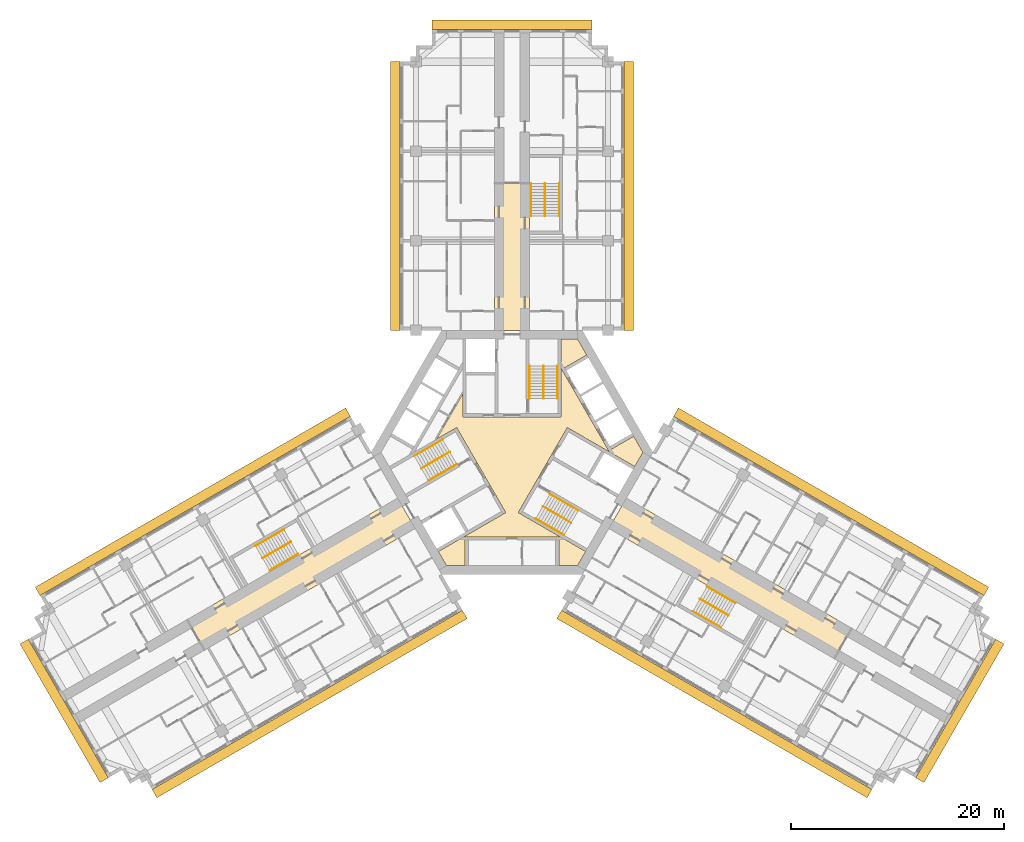
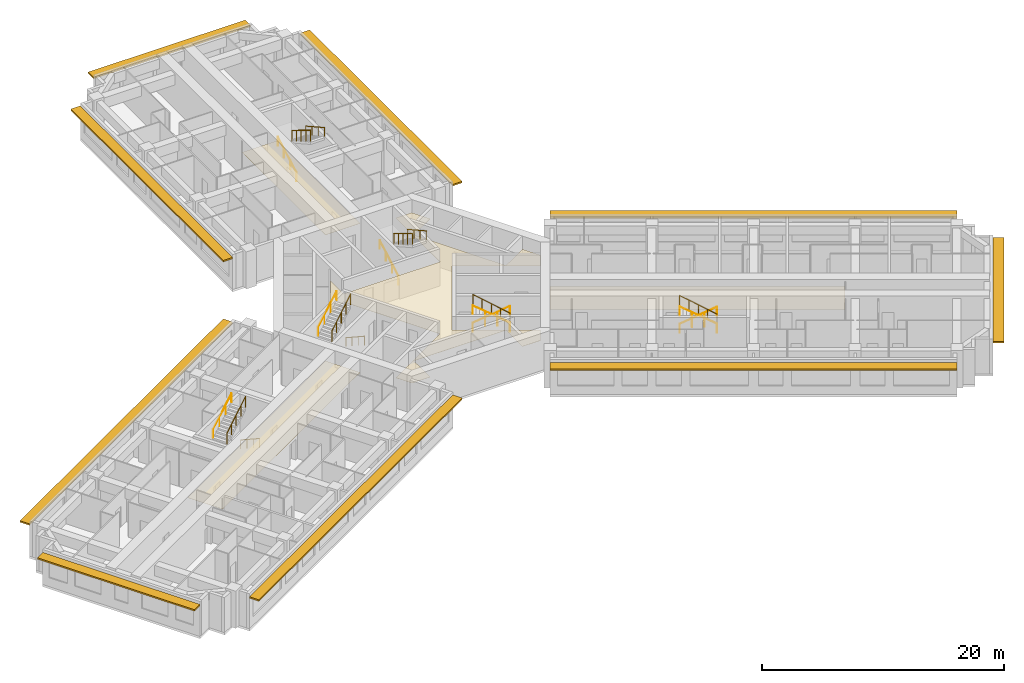
# One storey, part 14 of 14: 18 railings, 4 coverings, 3 shading devices.
"""IFC4 building model written with IfcOpenShell, lengths in metres."""

from ifc_helpers import new_model, si_unit, direction, frame, origin, origin_2d, place, context, subcontext, project, spatial, polyline, rectangle, circle, outline, extrude, material, layer, layer_set, type_object, element, save


model = new_model("IFC4")

# Units and contexts
model_context = context("Model", 3, precision=1e-05, world=origin(), true_north=direction((0.0, 1.0)))
body_context = subcontext(model_context, "Body", "Model", "MODEL_VIEW")
ifc_project = project(units=[si_unit("LENGTHUNIT", "METRE"), si_unit("AREAUNIT", "SQUARE_METRE"), si_unit("VOLUMEUNIT", "CUBIC_METRE"), si_unit("PLANEANGLEUNIT", "RADIAN"), si_unit("MASSUNIT", "GRAM", prefix="KILO")], contexts=[model_context])

# Site, building, storey
site_placement = place(None, origin())
site = spatial("IfcSite", under=ifc_project, at=site_placement, CompositionType="ELEMENT")
building_placement = place(site_placement, origin())
building = spatial("IfcBuilding", under=site, at=building_placement, Name="Impinga Residences", CompositionType="ELEMENT")
storey_placement = place(building_placement, frame((0.0, 0.0, 121.0)))
storey = spatial("IfcBuildingStorey", under=building, at=storey_placement, Name="L29", CompositionType="ELEMENT", Elevation=121.0)

# Coverings
ifc_material_1 = material(Name="Plasterboard 15 mm on steel hangers", Category="steel")
ifc_layer_1 = layer(ifc_material_1, 0.014892578125)
ifc_layer_set_1 = layer_set([ifc_layer_1], Name="Plasterboard 15 mm on steel hangers")
covering_type_1 = type_object("IfcCoveringType", Name="CL1 corridor ceiling, 15 mm plasterboard on hangers", PredefinedType="CEILING", material=ifc_layer_set_1)
covering_1_placement = place(storey_placement, frame((0.0, 0.0, 2.39990234375)))
element("IfcCovering", 1, at=covering_1_placement, inside=storey, type_object=covering_type_1, Name="Corridor ceiling CL1 L29-N00", PredefinedType="CEILING", context=body_context, shape_type="SweptSolid", body=[
    extrude(outline(polyline([(-1.64990234375, 11.431640625), (1.64990234375, 11.431640625), (1.64990234375, 25.181640625), (-1.64990234375, 25.181640625), (-1.64990234375, 11.431640625)])), origin(), (0.0, 0.0, 1.0), 0.01513671875),
])
covering_2_placement = place(storey_placement, frame((0.0, 0.0, 2.39990234375)))
element("IfcCovering", 2, at=covering_2_placement, inside=storey, type_object=covering_type_1, Name="Corridor ceiling CL1 L29-W00", PredefinedType="CEILING", context=body_context, shape_type="SweptSolid", body=[
    extrude(outline(polyline([(-9.074951171875, -7.144775390625), (-10.72509765625, -4.286865234375), (-30.427001953125, -15.661865234375), (-28.777099609375, -18.519775390625), (-9.074951171875, -7.144775390625)])), origin(), (0.0, 0.0, 1.0), 0.01513671875),
])
covering_3_placement = place(storey_placement, frame((0.0, 0.0, 2.39990234375)))
element("IfcCovering", 3, at=covering_3_placement, inside=storey, type_object=covering_type_1, Name="Corridor ceiling CL1 L29-E00", PredefinedType="CEILING", context=body_context, shape_type="SweptSolid", body=[
    extrude(outline(polyline([(10.72509765625, -4.286865234375), (9.074951171875, -7.144775390625), (30.16259765625, -19.31982421875), (31.812744140625, -16.4619140625), (10.72509765625, -4.286865234375)])), origin(), (0.0, 0.0, 1.0), 0.01513671875),
])
ifc_material_2 = material(Name="Mineral fibre tiles 20 mm on exposed grid", Category="mineral fibre")
ifc_layer_2 = layer(ifc_material_2, 0.02001953125)
ifc_layer_set_2 = layer_set([ifc_layer_2], Name="CL2 lift lobby ceiling, 20 mm mineral fibre tiles")
covering_type_2 = type_object("IfcCoveringType", Name="CL2 lift lobby ceiling, 20 mm mineral fibre tiles", PredefinedType="CEILING", material=ifc_layer_set_2)
covering_4_placement = place(storey_placement, frame((0.0, 0.0, 2.39990234375)))
element("IfcCovering", 4, at=covering_4_placement, inside=storey, type_object=covering_type_2, Name="Lift lobby ceiling CL2 L29-C01", PredefinedType="CEILING", context=body_context, shape_type="SweptSolid", body=[
    extrude(outline(polyline([(5.183837890625, 2.318603515625), (0.583984375, -5.648681640625), (6.9072265625, -9.299560546875), (6.13818359375, -10.631591796875), (4.39990234375, -10.631591796875), (4.39990234375, -7.931640625), (-4.39990234375, -7.931640625), (-4.39990234375, -10.631591796875), (-6.13818359375, -10.631591796875), (-6.9072265625, -9.299560546875), (-0.583984375, -5.648681640625), (-5.183837890625, 2.318603515625), (-7.059326171875, 1.23583984375), (-4.60009765625, 5.49560546875), (-4.60009765625, 3.330078125), (4.60009765625, 3.330078125), (4.60009765625, 10.631591796875), (6.13818359375, 10.631591796875), (7.007080078125, 9.126220703125), (4.6689453125, 7.7763671875), (9.06884765625, 0.1552734375), (11.4072265625, 1.50537109375), (12.276123046875, 0.0), (11.507080078125, -1.33203125), (5.183837890625, 2.318603515625)])), origin(), (0.0, 0.0, 1.0), 0.02001953125),
])

# Railings
ifc_material_3 = material(Name="Steel guard, powder coated", Category="steel")
railing_type_1 = type_object("IfcRailingType", Name="GR1 stair guard 1100", PredefinedType="GUARDRAIL", material=ifc_material_3)
railing_1_placement = place(storey_placement, frame((2.949951171875, 8.110107421875, 1.875)))
element("IfcRailing", 5, at=railing_1_placement, inside=storey, type_object=railing_type_1, Name="Stair guard GR1 ST1 L29", PredefinedType="GUARDRAIL", context=body_context, shape_type="SweptSolid", body=[
    extrude(circle(Radius=0.02392578125, at=origin_2d()), frame((0.0, 0.0, 1.076171875), z_axis=(0.0, -0.854177636135, 0.519981313056), x_axis=(1.0, 0.0, 0.0)), (0.0, 0.0, 1.0), 3.60595703125),
    extrude(circle(Radius=0.02099609375, at=origin_2d()), origin(), (0.0, 0.0, 1.0), 1.052001953125),
    extrude(circle(Radius=0.02099609375, at=origin_2d()), frame((0.0, -0.77001953125, 0.46875)), (0.0, 0.0, 1.0), 1.052001953125),
    extrude(circle(Radius=0.02099609375, at=origin_2d()), frame((0.0, -1.5400390625, 0.9375)), (0.0, 0.0, 1.0), 1.052001953125),
    extrude(circle(Radius=0.02099609375, at=origin_2d()), frame((0.0, -2.31005859375, 1.40625)), (0.0, 0.0, 1.0), 1.052001953125),
    extrude(circle(Radius=0.02099609375, at=origin_2d()), frame((0.0, -3.080078125, 1.875)), (0.0, 0.0, 1.0), 1.052001953125),
])
railing_2_placement = place(storey_placement, frame((-8.49853515625, -1.500244140625, 1.875)))
element("IfcRailing", 6, at=railing_2_placement, inside=storey, type_object=railing_type_1, Name="Stair guard GR1 ST2 L29", PredefinedType="GUARDRAIL", context=body_context, shape_type="SweptSolid", body=[
    extrude(circle(Radius=0.02392578125, at=origin_2d()), frame((0.0, 0.0, 1.076171875), z_axis=(0.739746383972, 0.427084037168, 0.519975492303), x_axis=(-0.499992328818, 0.866029832698, 0.0)), (0.0, 0.0, 1.0), 3.60595703125),
    extrude(circle(Radius=0.02099609375, at=origin_2d()), origin(), (0.0, 0.0, 1.0), 1.052001953125),
    extrude(circle(Radius=0.02099609375, at=origin_2d()), frame((0.6669921875, 0.385009765625, 0.46875)), (0.0, 0.0, 1.0), 1.052001953125),
    extrude(circle(Radius=0.02099609375, at=origin_2d()), frame((1.333740234375, 0.77001953125, 0.9375)), (0.0, 0.0, 1.0), 1.052001953125),
    extrude(circle(Radius=0.02099609375, at=origin_2d()), frame((2.00048828125, 1.155029296875, 1.40625)), (0.0, 0.0, 1.0), 1.052001953125),
    extrude(circle(Radius=0.02099609375, at=origin_2d()), frame((2.66748046875, 1.5400390625, 1.875)), (0.0, 0.0, 1.0), 1.052001953125),
])
railing_3_placement = place(storey_placement, frame((5.548583984375, -6.60986328125, 1.875)))
element("IfcRailing", 7, at=railing_3_placement, inside=storey, type_object=railing_type_1, Name="Stair guard GR1 ST3 L29", PredefinedType="GUARDRAIL", context=body_context, shape_type="SweptSolid", body=[
    extrude(circle(Radius=0.02392578125, at=origin_2d()), frame((0.0, 0.0, 1.076171875), z_axis=(-0.739746383972, 0.427084037168, 0.519975492303), x_axis=(-0.499992328818, -0.866029832698, 0.0)), (0.0, 0.0, 1.0), 3.60595703125),
    extrude(circle(Radius=0.02099609375, at=origin_2d()), origin(), (0.0, 0.0, 1.0), 1.052001953125),
    extrude(circle(Radius=0.02099609375, at=origin_2d()), frame((-0.6669921875, 0.385009765625, 0.46875)), (0.0, 0.0, 1.0), 1.052001953125),
    extrude(circle(Radius=0.02099609375, at=origin_2d()), frame((-1.333740234375, 0.77001953125, 0.9375)), (0.0, 0.0, 1.0), 1.052001953125),
    extrude(circle(Radius=0.02099609375, at=origin_2d()), frame((-2.00048828125, 1.155029296875, 1.40625)), (0.0, 0.0, 1.0), 1.052001953125),
    extrude(circle(Radius=0.02099609375, at=origin_2d()), frame((-2.66748046875, 1.5400390625, 1.875)), (0.0, 0.0, 1.0), 1.052001953125),
])
railing_4_placement = place(storey_placement, frame((3.10009765625, 25.21142578125, 1.875)))
element("IfcRailing", 8, at=railing_4_placement, inside=storey, type_object=railing_type_1, Name="Stair guard GR1 WS1 L29", PredefinedType="GUARDRAIL", context=body_context, shape_type="SweptSolid", body=[
    extrude(circle(Radius=0.02392578125, at=origin_2d()), frame((0.0, 0.0, 1.076171875), z_axis=(0.0, -0.854159328187, 0.520011386482), x_axis=(1.0, 0.0, 0.0)), (0.0, 0.0, 1.0), 3.605712890625),
    extrude(circle(Radius=0.02099609375, at=origin_2d()), origin(), (0.0, 0.0, 1.0), 1.052001953125),
    extrude(circle(Radius=0.02099609375, at=origin_2d()), frame((0.0, -0.77001953125, 0.46875)), (0.0, 0.0, 1.0), 1.052001953125),
    extrude(circle(Radius=0.02099609375, at=origin_2d()), frame((0.0, -1.5400390625, 0.9375)), (0.0, 0.0, 1.0), 1.052001953125),
    extrude(circle(Radius=0.02099609375, at=origin_2d()), frame((0.0, -2.309814453125, 1.40625)), (0.0, 0.0, 1.0), 1.052001953125),
    extrude(circle(Radius=0.02099609375, at=origin_2d()), frame((0.0, -3.079833984375, 1.875)), (0.0, 0.0, 1.0), 1.052001953125),
])
railing_5_placement = place(storey_placement, frame((-23.3837890625, -9.921142578125, 1.875)))
element("IfcRailing", 9, at=railing_5_placement, inside=storey, type_object=railing_type_1, Name="Stair guard GR1 WS2 L29", PredefinedType="GUARDRAIL", context=body_context, shape_type="SweptSolid", body=[
    extrude(circle(Radius=0.02392578125, at=origin_2d()), frame((0.0, 0.0, 1.076171875), z_axis=(0.739715726454, 0.427105428144, 0.52000153585), x_axis=(-0.500026652407, 0.866010015463, 0.0)), (0.0, 0.0, 1.0), 3.605712890625),
    extrude(circle(Radius=0.02099609375, at=origin_2d()), origin(), (0.0, 0.0, 1.0), 1.052001953125),
    extrude(circle(Radius=0.02099609375, at=origin_2d()), frame((0.666748046875, 0.385009765625, 0.46875)), (0.0, 0.0, 1.0), 1.052001953125),
    extrude(circle(Radius=0.02099609375, at=origin_2d()), frame((1.33349609375, 0.77001953125, 0.9375)), (0.0, 0.0, 1.0), 1.052001953125),
    extrude(circle(Radius=0.02099609375, at=origin_2d()), frame((2.00048828125, 1.155029296875, 1.40625)), (0.0, 0.0, 1.0), 1.052001953125),
    extrude(circle(Radius=0.02099609375, at=origin_2d()), frame((2.667236328125, 1.5400390625, 1.875)), (0.0, 0.0, 1.0), 1.052001953125),
])
railing_6_placement = place(storey_placement, frame((20.283935546875, -15.29052734375, 1.875)))
element("IfcRailing", 10, at=railing_6_placement, inside=storey, type_object=railing_type_1, Name="Stair guard GR1 WS3 L29", PredefinedType="GUARDRAIL", context=body_context, shape_type="SweptSolid", body=[
    extrude(circle(Radius=0.02392578125, at=origin_2d()), frame((0.0, 0.0, 1.076171875), z_axis=(-0.739746383972, 0.427084037168, 0.519975492303), x_axis=(-0.499992328818, -0.866029832698, 0.0)), (0.0, 0.0, 1.0), 3.60595703125),
    extrude(circle(Radius=0.02099609375, at=origin_2d()), origin(), (0.0, 0.0, 1.0), 1.052001953125),
    extrude(circle(Radius=0.02099609375, at=origin_2d()), frame((-0.6669921875, 0.385009765625, 0.46875)), (0.0, 0.0, 1.0), 1.052001953125),
    extrude(circle(Radius=0.02099609375, at=origin_2d()), frame((-1.333740234375, 0.77001953125, 0.9375)), (0.0, 0.0, 1.0), 1.052001953125),
    extrude(circle(Radius=0.02099609375, at=origin_2d()), frame((-2.00048828125, 1.155029296875, 1.40625)), (0.0, 0.0, 1.0), 1.052001953125),
    extrude(circle(Radius=0.02099609375, at=origin_2d()), frame((-2.66748046875, 1.5400390625, 1.875)), (0.0, 0.0, 1.0), 1.052001953125),
])
ifc_material_4 = material(Name="Steel handrail tube 42 mm, powder coated", Category="steel")
railing_type_2 = type_object("IfcRailingType", Name="HR1 stair handrail, 42 mm steel tube, 900 above the pitch line", PredefinedType="HANDRAIL", material=ifc_material_4)
railing_7_placement = place(storey_placement, frame((1.62109375, 5.030029296875, 0.15625)))
element("IfcRailing", 11, at=railing_7_placement, inside=storey, type_object=railing_type_2, Name="Stair handrail HR1 ST1 L29", PredefinedType="HANDRAIL", context=body_context, shape_type="SweptSolid", body=[
    extrude(circle(Radius=0.02099609375, at=origin_2d()), frame((0.0, 0.0, 0.87890625), z_axis=(0.0, 0.873241540666, 0.487287606713), x_axis=(-1.0, 0.0, 0.0)), (0.0, 0.0, 1.0), 3.527099609375),
    extrude(circle(Radius=0.012451171875, at=origin_2d()), origin(), (0.0, 0.0, 1.0), 0.85791015625),
    extrude(circle(Radius=0.012451171875, at=origin_2d()), frame((0.0, 1.026611328125, 0.572998046875)), (0.0, 0.0, 1.0), 0.85791015625),
    extrude(circle(Radius=0.012451171875, at=origin_2d()), frame((0.0, 2.053466796875, 1.145751953125)), (0.0, 0.0, 1.0), 0.85791015625),
    extrude(circle(Radius=0.012451171875, at=origin_2d()), frame((0.0, 3.080078125, 1.71875)), (0.0, 0.0, 1.0), 0.85791015625),
])
railing_8_placement = place(storey_placement, frame((4.279052734375, 8.110107421875, 2.03125)))
element("IfcRailing", 12, at=railing_8_placement, inside=storey, type_object=railing_type_2, Name="Stair handrail HR1 ST1 L29", PredefinedType="HANDRAIL", context=body_context, shape_type="SweptSolid", body=[
    extrude(circle(Radius=0.02099609375, at=origin_2d()), frame((0.0, 0.0, 0.87890625), z_axis=(0.0, -0.873241540666, 0.487287606713), x_axis=(1.0, 0.0, 0.0)), (0.0, 0.0, 1.0), 3.527099609375),
    extrude(circle(Radius=0.012451171875, at=origin_2d()), origin(), (0.0, 0.0, 1.0), 0.85791015625),
    extrude(circle(Radius=0.012451171875, at=origin_2d()), frame((0.0, -1.026611328125, 0.572998046875)), (0.0, 0.0, 1.0), 0.85791015625),
    extrude(circle(Radius=0.012451171875, at=origin_2d()), frame((0.0, -2.053466796875, 1.145751953125)), (0.0, 0.0, 1.0), 0.85791015625),
    extrude(circle(Radius=0.012451171875, at=origin_2d()), frame((0.0, -3.080078125, 1.71875)), (0.0, 0.0, 1.0), 0.85791015625),
])
railing_9_placement = place(storey_placement, frame((-5.16650390625, -1.111083984375, 0.15625)))
element("IfcRailing", 13, at=railing_9_placement, inside=storey, type_object=railing_type_2, Name="Stair handrail HR1 ST2 L29", PredefinedType="HANDRAIL", context=body_context, shape_type="SweptSolid", body=[
    extrude(circle(Radius=0.02099609375, at=origin_2d()), frame((0.0, 0.0, 0.87890625), z_axis=(-0.756255980417, -0.436615662133, 0.487281905742), x_axis=(0.499992328818, -0.866029832698, 0.0)), (0.0, 0.0, 1.0), 3.527099609375),
    extrude(circle(Radius=0.012451171875, at=origin_2d()), origin(), (0.0, 0.0, 1.0), 0.85791015625),
    extrude(circle(Radius=0.012451171875, at=origin_2d()), frame((-0.88916015625, -0.513427734375, 0.572998046875)), (0.0, 0.0, 1.0), 0.85791015625),
    extrude(circle(Radius=0.012451171875, at=origin_2d()), frame((-1.7783203125, -1.026611328125, 1.145751953125)), (0.0, 0.0, 1.0), 0.85791015625),
    extrude(circle(Radius=0.012451171875, at=origin_2d()), frame((-2.66748046875, -1.5400390625, 1.71875)), (0.0, 0.0, 1.0), 0.85791015625),
])
railing_10_placement = place(storey_placement, frame((-9.1630859375, -0.349365234375, 2.03125)))
element("IfcRailing", 14, at=railing_10_placement, inside=storey, type_object=railing_type_2, Name="Stair handrail HR1 ST2 L29", PredefinedType="HANDRAIL", context=body_context, shape_type="SweptSolid", body=[
    extrude(circle(Radius=0.02099609375, at=origin_2d()), frame((0.0, 0.0, 0.87890625), z_axis=(0.756255980417, 0.436615662133, 0.487281905742), x_axis=(-0.499992328818, 0.866029832698, 0.0)), (0.0, 0.0, 1.0), 3.527099609375),
    extrude(circle(Radius=0.012451171875, at=origin_2d()), origin(), (0.0, 0.0, 1.0), 0.85791015625),
    extrude(circle(Radius=0.012451171875, at=origin_2d()), frame((0.88916015625, 0.513427734375, 0.572998046875)), (0.0, 0.0, 1.0), 0.85791015625),
    extrude(circle(Radius=0.012451171875, at=origin_2d()), frame((1.7783203125, 1.026611328125, 1.145751953125)), (0.0, 0.0, 1.0), 0.85791015625),
    extrude(circle(Radius=0.012451171875, at=origin_2d()), frame((2.66748046875, 1.5400390625, 1.71875)), (0.0, 0.0, 1.0), 0.85791015625),
])
railing_11_placement = place(storey_placement, frame((3.545654296875, -3.9189453125, 0.15625)))
element("IfcRailing", 15, at=railing_11_placement, inside=storey, type_object=railing_type_2, Name="Stair handrail HR1 ST3 L29", PredefinedType="HANDRAIL", context=body_context, shape_type="SweptSolid", body=[
    extrude(circle(Radius=0.02099609375, at=origin_2d()), frame((0.0, 0.0, 0.87890625), z_axis=(0.756249203677, -0.436582492228, 0.487322141317), x_axis=(0.499967199496, 0.866044340336, 0.0)), (0.0, 0.0, 1.0), 3.52685546875),
    extrude(circle(Radius=0.012451171875, at=origin_2d()), origin(), (0.0, 0.0, 1.0), 0.85791015625),
    extrude(circle(Radius=0.012451171875, at=origin_2d()), frame((0.88916015625, -0.51318359375, 0.572998046875)), (0.0, 0.0, 1.0), 0.85791015625),
    extrude(circle(Radius=0.012451171875, at=origin_2d()), frame((1.778076171875, -1.026611328125, 1.145751953125)), (0.0, 0.0, 1.0), 0.85791015625),
    extrude(circle(Radius=0.012451171875, at=origin_2d()), frame((2.667236328125, -1.539794921875, 1.71875)), (0.0, 0.0, 1.0), 0.85791015625),
])
railing_12_placement = place(storey_placement, frame((4.884033203125, -7.7607421875, 2.03125)))
element("IfcRailing", 16, at=railing_12_placement, inside=storey, type_object=railing_type_2, Name="Stair handrail HR1 ST3 L29", PredefinedType="HANDRAIL", context=body_context, shape_type="SweptSolid", body=[
    extrude(circle(Radius=0.02099609375, at=origin_2d()), frame((0.0, 0.0, 0.87890625), z_axis=(-0.756255980417, 0.436615662133, 0.487281905742), x_axis=(-0.499992328818, -0.866029832698, 0.0)), (0.0, 0.0, 1.0), 3.527099609375),
    extrude(circle(Radius=0.012451171875, at=origin_2d()), origin(), (0.0, 0.0, 1.0), 0.85791015625),
    extrude(circle(Radius=0.012451171875, at=origin_2d()), frame((-0.88916015625, 0.513427734375, 0.572998046875)), (0.0, 0.0, 1.0), 0.85791015625),
    extrude(circle(Radius=0.012451171875, at=origin_2d()), frame((-1.7783203125, 1.026611328125, 1.145751953125)), (0.0, 0.0, 1.0), 0.85791015625),
    extrude(circle(Radius=0.012451171875, at=origin_2d()), frame((-2.66748046875, 1.5400390625, 1.71875)), (0.0, 0.0, 1.0), 0.85791015625),
])
railing_13_placement = place(storey_placement, frame((1.77099609375, 22.131591796875, 0.15625)))
element("IfcRailing", 17, at=railing_13_placement, inside=storey, type_object=railing_type_2, Name="Stair handrail HR1 WS1 L29", PredefinedType="HANDRAIL", context=body_context, shape_type="SweptSolid", body=[
    extrude(circle(Radius=0.02099609375, at=origin_2d()), frame((0.0, 0.0, 0.87890625), z_axis=(0.0, 0.873225103656, 0.487317061414), x_axis=(-1.0, 0.0, 0.0)), (0.0, 0.0, 1.0), 3.52685546875),
    extrude(circle(Radius=0.012451171875, at=origin_2d()), origin(), (0.0, 0.0, 1.0), 0.85791015625),
    extrude(circle(Radius=0.012451171875, at=origin_2d()), frame((0.0, 1.026611328125, 0.572998046875)), (0.0, 0.0, 1.0), 0.85791015625),
    extrude(circle(Radius=0.012451171875, at=origin_2d()), frame((0.0, 2.05322265625, 1.145751953125)), (0.0, 0.0, 1.0), 0.85791015625),
    extrude(circle(Radius=0.012451171875, at=origin_2d()), frame((0.0, 3.079833984375, 1.71875)), (0.0, 0.0, 1.0), 0.85791015625),
])
railing_14_placement = place(storey_placement, frame((4.428955078125, 25.21142578125, 2.03125)))
element("IfcRailing", 18, at=railing_14_placement, inside=storey, type_object=railing_type_2, Name="Stair handrail HR1 WS1 L29", PredefinedType="HANDRAIL", context=body_context, shape_type="SweptSolid", body=[
    extrude(circle(Radius=0.02099609375, at=origin_2d()), frame((0.0, 0.0, 0.87890625), z_axis=(0.0, -0.873225103656, 0.487317061414), x_axis=(1.0, 0.0, 0.0)), (0.0, 0.0, 1.0), 3.52685546875),
    extrude(circle(Radius=0.012451171875, at=origin_2d()), origin(), (0.0, 0.0, 1.0), 0.85791015625),
    extrude(circle(Radius=0.012451171875, at=origin_2d()), frame((0.0, -1.026611328125, 0.572998046875)), (0.0, 0.0, 1.0), 0.85791015625),
    extrude(circle(Radius=0.012451171875, at=origin_2d()), frame((0.0, -2.05322265625, 1.145751953125)), (0.0, 0.0, 1.0), 0.85791015625),
    extrude(circle(Radius=0.012451171875, at=origin_2d()), frame((0.0, -3.079833984375, 1.71875)), (0.0, 0.0, 1.0), 0.85791015625),
])
railing_15_placement = place(storey_placement, frame((-20.052001953125, -9.531982421875, 0.15625)))
element("IfcRailing", 19, at=railing_15_placement, inside=storey, type_object=railing_type_2, Name="Stair handrail HR1 WS2 L29", PredefinedType="HANDRAIL", context=body_context, shape_type="SweptSolid", body=[
    extrude(circle(Radius=0.02099609375, at=origin_2d()), frame((0.0, 0.0, 0.87890625), z_axis=(-0.756226348243, -0.436638517594, 0.487307413422), x_axis=(0.500026652407, -0.866010015463, 0.0)), (0.0, 0.0, 1.0), 3.527099609375),
    extrude(circle(Radius=0.012451171875, at=origin_2d()), origin(), (0.0, 0.0, 1.0), 0.85791015625),
    extrude(circle(Radius=0.012451171875, at=origin_2d()), frame((-0.88916015625, -0.513427734375, 0.572998046875)), (0.0, 0.0, 1.0), 0.85791015625),
    extrude(circle(Radius=0.012451171875, at=origin_2d()), frame((-1.778076171875, -1.026611328125, 1.145751953125)), (0.0, 0.0, 1.0), 0.85791015625),
    extrude(circle(Radius=0.012451171875, at=origin_2d()), frame((-2.667236328125, -1.5400390625, 1.71875)), (0.0, 0.0, 1.0), 0.85791015625),
])
railing_16_placement = place(storey_placement, frame((-24.04833984375, -8.77001953125, 2.03125)))
element("IfcRailing", 20, at=railing_16_placement, inside=storey, type_object=railing_type_2, Name="Stair handrail HR1 WS2 L29", PredefinedType="HANDRAIL", context=body_context, shape_type="SweptSolid", body=[
    extrude(circle(Radius=0.02099609375, at=origin_2d()), frame((0.0, 0.0, 0.87890625), z_axis=(0.756278834354, 0.436559638319, 0.487296631324), x_axis=(-0.499932877268, 0.866064153644, 0.0)), (0.0, 0.0, 1.0), 3.527099609375),
    extrude(circle(Radius=0.012451171875, at=origin_2d()), origin(), (0.0, 0.0, 1.0), 0.85791015625),
    extrude(circle(Radius=0.012451171875, at=origin_2d()), frame((0.88916015625, 0.51318359375, 0.572998046875)), (0.0, 0.0, 1.0), 0.85791015625),
    extrude(circle(Radius=0.012451171875, at=origin_2d()), frame((1.7783203125, 1.026611328125, 1.145751953125)), (0.0, 0.0, 1.0), 0.85791015625),
    extrude(circle(Radius=0.012451171875, at=origin_2d()), frame((2.66748046875, 1.539794921875, 1.71875)), (0.0, 0.0, 1.0), 0.85791015625),
])
railing_17_placement = place(storey_placement, frame((18.281005859375, -12.599609375, 0.15625)))
element("IfcRailing", 21, at=railing_17_placement, inside=storey, type_object=railing_type_2, Name="Stair handrail HR1 WS3 L29", PredefinedType="HANDRAIL", context=body_context, shape_type="SweptSolid", body=[
    extrude(circle(Radius=0.02099609375, at=origin_2d()), frame((0.0, 0.0, 0.87890625), z_axis=(0.756249203677, -0.436582492228, 0.487322141317), x_axis=(0.499967199496, 0.866044340336, 0.0)), (0.0, 0.0, 1.0), 3.52685546875),
    extrude(circle(Radius=0.012451171875, at=origin_2d()), origin(), (0.0, 0.0, 1.0), 0.85791015625),
    extrude(circle(Radius=0.012451171875, at=origin_2d()), frame((0.88916015625, -0.51318359375, 0.572998046875)), (0.0, 0.0, 1.0), 0.85791015625),
    extrude(circle(Radius=0.012451171875, at=origin_2d()), frame((1.778076171875, -1.026611328125, 1.145751953125)), (0.0, 0.0, 1.0), 0.85791015625),
    extrude(circle(Radius=0.012451171875, at=origin_2d()), frame((2.667236328125, -1.539794921875, 1.71875)), (0.0, 0.0, 1.0), 0.85791015625),
])
railing_18_placement = place(storey_placement, frame((19.619384765625, -16.44140625, 2.03125)))
element("IfcRailing", 22, at=railing_18_placement, inside=storey, type_object=railing_type_2, Name="Stair handrail HR1 WS3 L29", PredefinedType="HANDRAIL", context=body_context, shape_type="SweptSolid", body=[
    extrude(circle(Radius=0.02099609375, at=origin_2d()), frame((0.0, 0.0, 0.87890625), z_axis=(-0.756255980417, 0.436615662133, 0.487281905742), x_axis=(-0.499992328818, -0.866029832698, 0.0)), (0.0, 0.0, 1.0), 3.527099609375),
    extrude(circle(Radius=0.012451171875, at=origin_2d()), origin(), (0.0, 0.0, 1.0), 0.85791015625),
    extrude(circle(Radius=0.012451171875, at=origin_2d()), frame((-0.88916015625, 0.513427734375, 0.572998046875)), (0.0, 0.0, 1.0), 0.85791015625),
    extrude(circle(Radius=0.012451171875, at=origin_2d()), frame((-1.7783203125, 1.026611328125, 1.145751953125)), (0.0, 0.0, 1.0), 0.85791015625),
    extrude(circle(Radius=0.012451171875, at=origin_2d()), frame((-2.66748046875, 1.5400390625, 1.71875)), (0.0, 0.0, 1.0), 0.85791015625),
])

# Shading devices
ifc_material_5 = material(Name="Terracotta sunshade blades on aluminium brackets", Category="masonry")
ifc_layer_3 = layer(ifc_material_5, 0.14990234375)
ifc_layer_set_3 = layer_set([ifc_layer_3], Name="SS1 SUNSHADE terracotta sunshade band 900")
shading_device_type = type_object("IfcShadingDeviceType", Name="SS1 SUNSHADE terracotta sunshade band 900", PredefinedType="USERDEFINED", material=ifc_layer_set_3)
shading_device_1_placement = place(storey_placement, frame((-10.949951171875, 24.031494140625, 3.10009765625), z_axis=(0.0, 0.0, 1.0), x_axis=(0.0, 1.0, 0.0)))
element("IfcShadingDevice", 23, at=shading_device_1_placement, inside=storey, type_object=shading_device_type, Name="SUNSHADE band L29 NORTH WING", ObjectType="SUNSHADE", PredefinedType="USERDEFINED", context=body_context, shape_type="SweptSolid", body=[
    extrude(rectangle(XDim=25.199951171875, YDim=0.89990234375, at=origin_2d()), origin(), (0.0, 0.0, 1.0), 0.14990234375),
    extrude(rectangle(XDim=15.0, YDim=0.89990234375, at=origin_2d()), frame((16.050048828125, -10.949951171875, 0.0), z_axis=(0.0, 0.0, 1.0), x_axis=(0.0, -1.0, 0.0)), (0.0, 0.0, 1.0), 0.14990234375),
    extrude(rectangle(XDim=25.199951171875, YDim=0.89990234375, at=origin_2d()), frame((0.0, -21.89990234375, 0.0), z_axis=(0.0, 0.0, 1.0), x_axis=(-1.0, 0.0, 0.0)), (0.0, 0.0, 1.0), 0.14990234375),
])
shading_device_2_placement = place(storey_placement, frame((-41.986328125, -24.24072265625, 3.10009765625), z_axis=(0.0, 0.0, 1.0), x_axis=(-0.5, 0.866025403784, 0.0)))
element("IfcShadingDevice", 24, at=shading_device_2_placement, inside=storey, type_object=shading_device_type, Name="SUNSHADE band L29 WEST WING", ObjectType="SUNSHADE", PredefinedType="USERDEFINED", context=body_context, shape_type="SweptSolid", body=[
    extrude(rectangle(XDim=15.0, YDim=0.89990234375, at=origin_2d()), origin(), (0.0, 0.0, 1.0), 0.14990234375),
    extrude(rectangle(XDim=33.60009765625, YDim=0.89990234375, at=origin_2d()), frame((10.949951171875, -20.25, 0.0), z_axis=(0.0, 0.0, 1.0), x_axis=(0.0, -1.0, 0.0)), (0.0, 0.0, 1.0), 0.14990234375),
    extrude(rectangle(XDim=33.60009765625, YDim=0.89990234375, at=origin_2d()), frame((-10.949951171875, -20.250244140625, 0.0), z_axis=(0.0, 0.0, 1.0), x_axis=(0.0, 1.0, 0.0)), (0.0, 0.0, 1.0), 0.14990234375),
])
shading_device_3_placement = place(storey_placement, frame((29.92431640625, -4.6328125, 3.10009765625), z_axis=(0.0, 0.0, 1.0), x_axis=(0.866025403784, -0.5, 0.0)))
element("IfcShadingDevice", 25, at=shading_device_3_placement, inside=storey, type_object=shading_device_type, Name="SUNSHADE band L29 EAST WING", ObjectType="SUNSHADE", PredefinedType="USERDEFINED", context=body_context, shape_type="SweptSolid", body=[
    extrude(rectangle(XDim=33.60009765625, YDim=0.89990234375, at=origin_2d()), origin(), (0.0, 0.0, 1.0), 0.14990234375),
    extrude(rectangle(XDim=15.0, YDim=0.89990234375, at=origin_2d()), frame((20.25, -10.949951171875, 0.0), z_axis=(0.0, 0.0, 1.0), x_axis=(0.0, -1.0, 0.0)), (0.0, 0.0, 1.0), 0.14990234375),
    extrude(rectangle(XDim=33.60009765625, YDim=0.89990234375, at=origin_2d()), frame((-0.000244140625, -21.89990234375, 0.0), z_axis=(0.0, 0.0, 1.0), x_axis=(-1.0, 0.0, 0.0)), (0.0, 0.0, 1.0), 0.14990234375),
])

save(model, "model.ifc")
